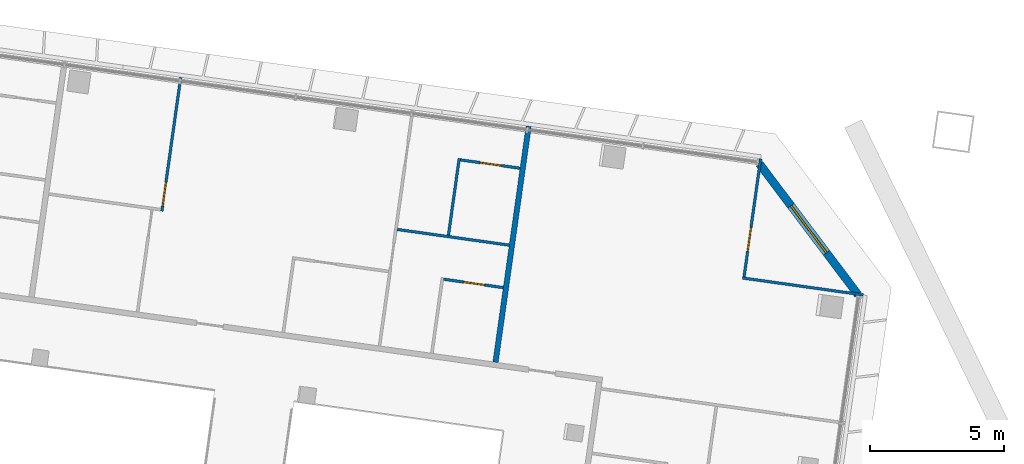
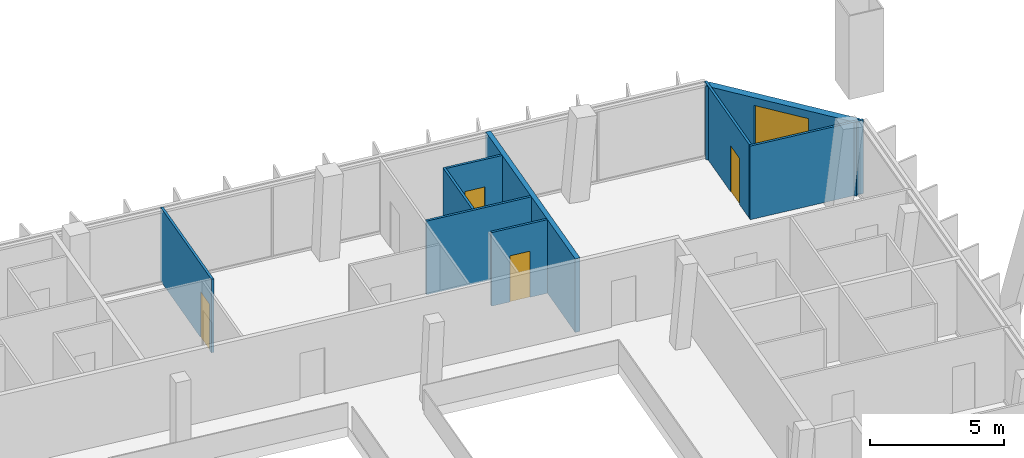
# One storey, part 19 of 26: 9 walls, 4 doors, 1 window, 5 openings.
"""IFC4 building model written with IfcOpenShell, lengths in metres."""

import ifcopenshell
import ifcopenshell.guid

model = None  # the IFC model being written
_history = None  # IfcOwnerHistory: only IFC2X3 demands one
_inside = {}  # id of a spatial element -> (the spatial element, [elements in it])
_under = {}  # id of a project, library or spatial element -> (it, [spatial elements below it])
_declared = {}  # id of a project -> (the project, [libraries it declares])
_typed = {}  # id of a type object -> (the type object, [elements of that type])
_made_of = {}  # id of a material, layer set ... -> (it, [elements and type objects made of it])


def new_model(schema):
    """Start an empty IFC model of exactly this schema.

    Asked for "IFC4X3", IfcOpenShell would pick the latest addendum, in which some entities
    have other attributes; the version numbers below select the first issue.
    IFC2X3 requires an IfcOwnerHistory on every rooted entity: one is made here for all.
    """
    global model, _history
    if schema == "IFC4X3":
        model = ifcopenshell.file(schema_version=(4, 3, 0, 0))
    else:
        model = ifcopenshell.file(schema=schema)
    _inside.clear()
    _under.clear()
    _declared.clear()
    _typed.clear()
    _made_of.clear()
    _history = None
    if model.schema == "IFC2X3":
        org = make("IfcOrganization", Name="unknown")
        user = make(
            "IfcPersonAndOrganization",
            ThePerson=make("IfcPerson", FamilyName="unknown"),
            TheOrganization=org,
        )
        app = make(
            "IfcApplication",
            ApplicationDeveloper=org,
            Version="unknown",
            ApplicationFullName="unknown",
            ApplicationIdentifier="unknown",
        )
        _history = make(
            "IfcOwnerHistory",
            OwningUser=user,
            OwningApplication=app,
            ChangeAction="ADDED",
            CreationDate=0,
        )
    return model


def make(cls, **values):
    """One entity of the class cls with the attributes given. An attribute that is None is left unset."""
    return model.create_entity(
        cls, **{name: value for name, value in values.items() if value is not None}
    )


def rooted(cls, **values):
    """An entity with a GlobalId (a new one), such as an element, a storey or a relation."""
    return make(cls, GlobalId=ifcopenshell.guid.new(), OwnerHistory=_history, **values)


def si_unit(unit_type, name, prefix=None):
    """IfcSIUnit, for example si_unit("LENGTHUNIT", "METRE", prefix="MILLI")."""
    return make("IfcSIUnit", UnitType=unit_type, Prefix=prefix, Name=name)


def assignment(units):
    """IfcUnitAssignment: the units of a project."""
    return None if units is None else make("IfcUnitAssignment", Units=units)


def point(xyz):
    """IfcCartesianPoint."""
    return None if xyz is None else make("IfcCartesianPoint", Coordinates=xyz)


def direction(xyz):
    """IfcDirection."""
    return None if xyz is None else make("IfcDirection", DirectionRatios=xyz)


def frame(location, z_axis=None, x_axis=None):
    """IfcAxis2Placement3D, a coordinate frame: its origin and axes. An axis left out is left unset."""
    return make(
        "IfcAxis2Placement3D",
        Location=point(location),
        Axis=direction(z_axis),
        RefDirection=direction(x_axis),
    )


def frame_2d(location, x_axis=None):
    """IfcAxis2Placement2D, a coordinate frame in the plane: its origin and x axis."""
    return make(
        "IfcAxis2Placement2D", Location=point(location), RefDirection=direction(x_axis)
    )


def origin():
    """The frame at (0, 0, 0) with its axes left unset."""
    return frame((0.0, 0.0, 0.0))


def place(relative_to, where):
    """IfcLocalPlacement: puts the frame where relative to a parent placement (None: the world)."""
    return make(
        "IfcLocalPlacement", PlacementRelTo=relative_to, RelativePlacement=where
    )


def context(
    kind, dimensions, precision=None, world=None, true_north=None, identifier=None
):
    """IfcGeometricRepresentationContext, for example the 3D "Model" context."""
    return make(
        "IfcGeometricRepresentationContext",
        ContextIdentifier=identifier,
        ContextType=kind,
        CoordinateSpaceDimension=dimensions,
        Precision=precision,
        WorldCoordinateSystem=world,
        TrueNorth=true_north,
    )


def subcontext(parent, identifier, kind, view, scale=None):
    """IfcGeometricRepresentationSubContext, for example "Body" below "Model"."""
    return make(
        "IfcGeometricRepresentationSubContext",
        ContextIdentifier=identifier,
        ContextType=kind,
        ParentContext=parent,
        TargetScale=scale,
        TargetView=view,
    )


def project(units=None, contexts=None):
    """IfcProject with its units and contexts."""
    return rooted(
        "IfcProject",
        Name="project",
        RepresentationContexts=contexts,
        UnitsInContext=assignment(units),
    )


def spatial(cls, under=None, at=None, **own):
    """A site, building, storey or space (cls), placed at a placement, below another one or the project."""
    s = rooted(cls, ObjectPlacement=at, **own)
    if under is not None:
        _under.setdefault(under.id(), (under, []))[1].append(s)
    return s


def profile(cls, at=None, kind="AREA", **sizes):
    """A parametric profile (cls). Its sizes go by their IFC names, for example OverallWidth=200.0."""
    return make(cls, ProfileType=kind, Position=at, **sizes)


def rectangle(**sizes):
    """IfcRectangleProfileDef."""
    return profile("IfcRectangleProfileDef", **sizes)


def extrude(swept, where, along, depth):
    """IfcExtrudedAreaSolid: the profile swept, set in the frame where, extruded along a direction by depth."""
    return make(
        "IfcExtrudedAreaSolid",
        SweptArea=swept,
        Position=where,
        ExtrudedDirection=direction(along),
        Depth=depth,
    )


def shape(context_of_items, identifier, shape_type, items):
    """IfcShapeRepresentation: the items that make up one representation, for example the "Body"."""
    return make(
        "IfcShapeRepresentation",
        ContextOfItems=context_of_items,
        RepresentationIdentifier=identifier,
        RepresentationType=shape_type,
        Items=items,
    )


def material(Name=None, Category=None):
    """IfcMaterial."""
    return make("IfcMaterial", Name=Name, Category=Category)


def layer(
    of_material, thickness, ventilated=None, Name=None, Category=None, Priority=None
):
    """IfcMaterialLayer: one layer of a wall or slab, of a material (None: an air gap)."""
    return make(
        "IfcMaterialLayer",
        Material=of_material,
        LayerThickness=thickness,
        IsVentilated=ventilated,
        Name=Name,
        Category=Category,
        Priority=Priority,
    )


def layer_set(layers, Name=None):
    """IfcMaterialLayerSet."""
    return make("IfcMaterialLayerSet", MaterialLayers=layers, LayerSetName=Name)


def made_of(thing, what):
    """Note that an element or type object is made of a material, layer set ...; save() writes the relation."""
    if what is not None:
        _made_of.setdefault(what.id(), (what, []))[1].append(thing)
    return thing


def type_object(cls, material=None, **own):
    """A type object (cls), such as IfcWallType, which elements share."""
    return made_of(rooted(cls, **own), material)


def element(
    cls,
    number,
    at=None,
    inside=None,
    cuts=None,
    type_object=None,
    material=None,
    context=None,
    identifier="Body",
    shape_type=None,
    held_by="IfcProductDefinitionShape",
    body=None,
    shapes=None,
    **own,
):
    """One element of the class cls, such as IfcWall. Its Tag is "e" and its number.

    at: its placement. inside: the storey or other place that contains it. cuts: it is an
    opening in that element (IfcRelVoidsElement). A single representation is given by context,
    identifier, shape_type and body (its items); several are given by shapes. held_by: the class
    of the entity that holds the representations. save() writes the other relations.
    """
    e = rooted(cls, Tag="e%d" % number, ObjectPlacement=at, **own)
    if body is not None:
        shapes = [shape(context, identifier, shape_type, body)]
    if shapes is not None:
        e.Representation = make(held_by, Representations=shapes)
    if inside is not None:
        _inside.setdefault(inside.id(), (inside, []))[1].append(e)
    if cuts is not None:
        rooted(
            "IfcRelVoidsElement", RelatingBuildingElement=cuts, RelatedOpeningElement=e
        )
    if type_object is not None:
        _typed.setdefault(type_object.id(), (type_object, []))[1].append(e)
    return made_of(e, material)


def fill(opening, filler):
    """IfcRelFillsElement: the door or window that sits in an opening."""
    return rooted(
        "IfcRelFillsElement",
        RelatingOpeningElement=opening,
        RelatedBuildingElement=filler,
    )


def aggregate(whole, parts):
    """IfcRelAggregates: a whole, such as a stair, and the parts it consists of."""
    return rooted("IfcRelAggregates", RelatingObject=whole, RelatedObjects=parts)


def save(model, path):
    """Write the relations noted so far, then the file.

    IfcRelAggregates (storeys below a building ...), IfcRelContainedInSpatialStructure (elements
    in a storey), IfcRelDefinesByType, IfcRelAssociatesMaterial and IfcRelDeclares: one each for
    every whole, place, type object, material and project.
    """
    for whole, parts in _under.values():
        aggregate(whole, parts)
    for where, things in _inside.values():
        rooted(
            "IfcRelContainedInSpatialStructure",
            RelatedElements=things,
            RelatingStructure=where,
        )
    for kind, things in _typed.values():
        rooted("IfcRelDefinesByType", RelatedObjects=things, RelatingType=kind)
    for what, things in _made_of.values():
        rooted("IfcRelAssociatesMaterial", RelatedObjects=things, RelatingMaterial=what)
    for by, libraries in _declared.values():
        rooted("IfcRelDeclares", RelatingContext=by, RelatedDefinitions=libraries)
    model.write(path)


model = new_model("IFC4")

# Units and contexts
model_context = context("Model", 3, precision=1e-05, world=origin(), true_north=direction((0.0, 1.0)))
body_context = subcontext(model_context, "Body", "Model", "MODEL_VIEW")
ifc_project = project(units=[si_unit("LENGTHUNIT", "METRE"), si_unit("AREAUNIT", "SQUARE_METRE"), si_unit("VOLUMEUNIT", "CUBIC_METRE"), si_unit("PLANEANGLEUNIT", "RADIAN"), si_unit("MASSUNIT", "GRAM", prefix="KILO")], contexts=[model_context])

# Site, building, storey
site_placement = place(None, origin())
site = spatial("IfcSite", under=ifc_project, at=site_placement, CompositionType="ELEMENT")
building_placement = place(site_placement, origin())
building = spatial("IfcBuilding", under=site, at=building_placement, Name="Mirante Cascada Hotel Towers", CompositionType="ELEMENT")
storey_placement = place(building_placement, frame((0.0, 0.0, 203.0)))
storey = spatial("IfcBuildingStorey", under=building, at=storey_placement, Name="L48", CompositionType="ELEMENT", Elevation=203.0)

# Wall
ifc_material_1 = material(Name="Fire-rated plasterboard on metal studs")
ifc_layer_1 = layer(ifc_material_1, 0.2)
ifc_layer_set_1 = layer_set([ifc_layer_1], Name="Compartment wall 200 EI 120")
wall_type_1 = type_object("IfcWallType", Name="Compartment wall 200 EI 120", PredefinedType="PARTITIONING", material=ifc_layer_set_1)
wall_1_placement = place(storey_placement, frame((-38.6376, 9.4132, 0.0), z_axis=(0.0, 0.0, 1.0), x_axis=(0.1391794, 0.9902672, 0.0)))
element("IfcWall", 1, at=wall_1_placement, inside=storey, type_object=wall_type_1, Name="Wall 1-L48-39", PredefinedType="PARTITIONING", context=body_context, shape_type="SweptSolid", body=[
    extrude(rectangle(XDim=8.9, YDim=0.2, at=frame_2d((4.45, 0.0))), origin(), (0.0, 0.0, 1.0), 3.35),
])

# Wall, opening, door
ifc_material_2 = material(Name="Plasterboard on metal studs")
ifc_layer_2 = layer(ifc_material_2, 0.1)
ifc_layer_set_2 = layer_set([ifc_layer_2], Name="Partition 100")
wall_type_2 = type_object("IfcWallType", Name="Partition 100", PredefinedType="PARTITIONING", material=ifc_layer_set_2)
wall_2_placement = place(storey_placement, frame((-38.3469, 12.1999, 0.0), z_axis=(0.0, 0.0, 1.0), x_axis=(-0.9902705, 0.1391561, 0.0)))
wall_2 = element("IfcWall", 2, at=wall_2_placement, inside=storey, type_object=wall_type_2, Name="Wall 1-L48-19", PredefinedType="PARTITIONING", context=body_context, shape_type="SweptSolid", body=[
    extrude(rectangle(XDim=2.25, YDim=0.1, at=frame_2d((1.125, 0.0))), origin(), (0.0, 0.0, 1.0), 3.35),
])
opening_1_placement = place(wall_2_placement, frame((0.7, 0.0, 0.0)))
opening_1 = element("IfcOpeningElement", 3, at=opening_1_placement, cuts=wall_2, Name="Opening D1-L48-09", PredefinedType="OPENING", context=body_context, shape_type="SweptSolid", body=[
    extrude(rectangle(XDim=0.8, YDim=2.1, at=frame_2d((0.4, 1.05))), frame((0.0, 0.05, 0.0), z_axis=(0.0, -1.0, 0.0), x_axis=(1.0, 0.0, 0.0)), (0.0, 0.0, 1.0), 0.1),
])
ifc_material_3 = material(Name="Timber door leaf", Category="wood")
door_type_1 = type_object("IfcDoorType", Name="Bathroom door DG4 800x2100", OperationType="SINGLE_SWING_LEFT", PredefinedType="DOOR", material=ifc_material_3)
door_1_placement = place(opening_1_placement, origin())
door_1 = element("IfcDoor", 4, at=door_1_placement, inside=storey, type_object=door_type_1, Name="Door D1-L48-09", OperationType="SINGLE_SWING_LEFT", OverallHeight=2.1, OverallWidth=0.8, PredefinedType="DOOR", context=body_context, shape_type="SweptSolid", body=[
    extrude(rectangle(XDim=0.8, YDim=2.1, at=frame_2d((0.4, 1.05))), frame((0.0, 0.025, 0.0), z_axis=(0.0, -1.0, 0.0), x_axis=(1.0, 0.0, 0.0)), (0.0, 0.0, 1.0), 0.05),
])
fill(opening_1, door_1)

# Walls
wall_3_placement = place(storey_placement, frame((-24.9079, 11.9269, 0.0), z_axis=(0.0, 0.0, 1.0), x_axis=(-0.9902691, 0.1391656, 0.0)))
element("IfcWall", 5, at=wall_3_placement, inside=storey, type_object=wall_type_2, Name="Wall 1-L48-25", PredefinedType="PARTITIONING", context=body_context, shape_type="SweptSolid", body=[
    extrude(rectangle(XDim=4.55, YDim=0.1, at=frame_2d((2.275, 0.0))), origin(), (0.0, 0.0, 1.0), 3.35),
])
wall_4_placement = place(storey_placement, frame((-42.3062, 14.372, 0.0), z_axis=(0.0, 0.0, 1.0), x_axis=(0.9902694, -0.1391634, 0.0)))
element("IfcWall", 6, at=wall_4_placement, inside=storey, type_object=wall_type_2, Name="Wall 1-L48-26", PredefinedType="PARTITIONING", context=body_context, shape_type="SweptSolid", body=[
    extrude(rectangle(XDim=4.2231, YDim=0.1, at=frame_2d((2.1115, 0.0))), origin(), (0.0, 0.0, 1.0), 3.35),
])

# Wall, opening, door
wall_5_placement = place(storey_placement, frame((-39.9487, 16.9692, 0.0), z_axis=(0.0, 0.0, 1.0), x_axis=(0.9902705, -0.1391561, 0.0)))
wall_5 = element("IfcWall", 7, at=wall_5_placement, inside=storey, type_object=wall_type_2, Name="Wall 1-L48-28", PredefinedType="PARTITIONING", context=body_context, shape_type="SweptSolid", body=[
    extrude(rectangle(XDim=2.25, YDim=0.1, at=frame_2d((1.125, 0.0))), origin(), (0.0, 0.0, 1.0), 3.35),
])
opening_2_placement = place(wall_5_placement, frame((0.75, 0.0, 0.0)))
opening_2 = element("IfcOpeningElement", 8, at=opening_2_placement, cuts=wall_5, Name="Opening D1-L48-14", PredefinedType="OPENING", context=body_context, shape_type="SweptSolid", body=[
    extrude(rectangle(XDim=0.8, YDim=2.1, at=frame_2d((0.4, 1.05))), frame((0.0, 0.05, 0.0), z_axis=(0.0, -1.0, 0.0), x_axis=(1.0, 0.0, 0.0)), (0.0, 0.0, 1.0), 0.1),
])
door_2_placement = place(opening_2_placement, frame((0.8, 0.0, 0.0), z_axis=(0.0, 0.0, 1.0), x_axis=(-1.0, 0.0, 0.0)))
door_2 = element("IfcDoor", 9, at=door_2_placement, inside=storey, type_object=door_type_1, Name="Door D1-L48-14", OperationType="SINGLE_SWING_RIGHT", OverallHeight=2.1, OverallWidth=0.8, PredefinedType="DOOR", context=body_context, shape_type="SweptSolid", body=[
    extrude(rectangle(XDim=0.8, YDim=2.1, at=frame_2d((0.4, 1.05))), frame((0.0, 0.025, 0.0), z_axis=(0.0, -1.0, 0.0), x_axis=(1.0, 0.0, 0.0)), (0.0, 0.0, 1.0), 0.05),
])
fill(opening_2, door_2)

wall_6_placement = place(storey_placement, frame((-28.7378, 17.0093, 0.0), z_axis=(0.0, 0.0, 1.0), x_axis=(-0.1391684, -0.9902687, 0.0)))
wall_6 = element("IfcWall", 10, at=wall_6_placement, inside=storey, type_object=wall_type_2, Name="Wall 1-L48-34", PredefinedType="PARTITIONING", context=body_context, shape_type="SweptSolid", body=[
    extrude(rectangle(XDim=4.45, YDim=0.1, at=frame_2d((2.225, 0.0))), origin(), (0.0, 0.0, 1.0), 3.35),
])
opening_3_placement = place(wall_6_placement, frame((2.5833, 0.0, 0.0)))
opening_3 = element("IfcOpeningElement", 11, at=opening_3_placement, cuts=wall_6, Name="Opening D1-L48-21", PredefinedType="OPENING", context=body_context, shape_type="SweptSolid", body=[
    extrude(rectangle(XDim=0.9, YDim=2.1, at=frame_2d((0.45, 1.05))), frame((0.0, 0.05, 0.0), z_axis=(0.0, -1.0, 0.0), x_axis=(1.0, 0.0, 0.0)), (0.0, 0.0, 1.0), 0.1),
])
ifc_material_4 = material(Name="Timber door leaf", Category="wood")
door_type_2 = type_object("IfcDoorType", Name="Room door DG3 900x2100", OperationType="SINGLE_SWING_LEFT", PredefinedType="DOOR", material=ifc_material_4)
door_3_placement = place(opening_3_placement, frame((0.9, 0.0, 0.0), z_axis=(0.0, 0.0, 1.0), x_axis=(-1.0, 0.0, 0.0)))
door_3 = element("IfcDoor", 12, at=door_3_placement, inside=storey, type_object=door_type_2, Name="Door D1-L48-21", OperationType="SINGLE_SWING_RIGHT", OverallHeight=2.1, OverallWidth=0.9, PredefinedType="DOOR", context=body_context, shape_type="SweptSolid", body=[
    extrude(rectangle(XDim=0.9, YDim=2.1, at=frame_2d((0.45, 1.05))), frame((0.0, 0.025, 0.0), z_axis=(0.0, -1.0, 0.0), x_axis=(1.0, 0.0, 0.0)), (0.0, 0.0, 1.0), 0.05),
])
fill(opening_3, door_3)

# Wall
wall_7_placement = place(storey_placement, frame((-40.3949, 14.1539, 0.0), z_axis=(0.0, 0.0, 1.0), x_axis=(0.1391714, 0.9902683, 0.0)))
element("IfcWall", 13, at=wall_7_placement, inside=storey, type_object=wall_type_2, Name="Wall 1-L48-41", PredefinedType="PARTITIONING", context=body_context, shape_type="SweptSolid", body=[
    extrude(rectangle(XDim=2.9, YDim=0.1, at=frame_2d((1.45, 0.0))), origin(), (0.0, 0.0, 1.0), 3.35),
])

# Wall, opening, door
wall_8_placement = place(storey_placement, frame((-50.3906, 20.0524, 0.0), z_axis=(0.0, 0.0, 1.0), x_axis=(-0.1391893, -0.9902658, 0.0)))
wall_8 = element("IfcWall", 14, at=wall_8_placement, inside=storey, type_object=wall_type_2, Name="Wall 1-L48-44", PredefinedType="PARTITIONING", context=body_context, shape_type="SweptSolid", body=[
    extrude(rectangle(XDim=5.05, YDim=0.1, at=frame_2d((2.525, 0.0))), origin(), (0.0, 0.0, 1.0), 3.35),
])
opening_4_placement = place(wall_8_placement, frame((3.95, 0.0, 0.0)))
opening_4 = element("IfcOpeningElement", 15, at=opening_4_placement, cuts=wall_8, Name="Opening D1-L48-27", PredefinedType="OPENING", context=body_context, shape_type="SweptSolid", body=[
    extrude(rectangle(XDim=0.9, YDim=2.1, at=frame_2d((0.45, 1.05))), frame((0.0, 0.05, 0.0), z_axis=(0.0, -1.0, 0.0), x_axis=(1.0, 0.0, 0.0)), (0.0, 0.0, 1.0), 0.1),
])
door_4_placement = place(opening_4_placement, origin())
door_4 = element("IfcDoor", 16, at=door_4_placement, inside=storey, type_object=door_type_2, Name="Door D1-L48-27", OperationType="SINGLE_SWING_LEFT", OverallHeight=2.1, OverallWidth=0.9, PredefinedType="DOOR", context=body_context, shape_type="SweptSolid", body=[
    extrude(rectangle(XDim=0.9, YDim=2.1, at=frame_2d((0.45, 1.05))), frame((0.0, 0.025, 0.0), z_axis=(0.0, -1.0, 0.0), x_axis=(1.0, 0.0, 0.0)), (0.0, 0.0, 1.0), 0.05),
])
fill(opening_4, door_4)

# Wall, opening, window
ifc_material_5 = material(Name="Precast concrete C40/50", Category="concrete")
ifc_layer_3 = layer(ifc_material_5, 0.3)
ifc_layer_set_3 = layer_set([ifc_layer_3], Name="Precast concrete C40/50 cladding wall 300")
wall_type_3 = type_object("IfcWallType", Name="Precast concrete C40/50 cladding wall 300", PredefinedType="STANDARD", material=ifc_layer_set_3)
wall_9_placement = place(storey_placement, frame((-28.7829, 16.8199, 0.0), z_axis=(0.0, 0.0, 1.0), x_axis=(0.6018141, -0.7986362, 0.0)))
wall_9 = element("IfcWall", 17, at=wall_9_placement, inside=storey, type_object=wall_type_3, Name="Corner cladding wall T1 L48 front inner", PredefinedType="STANDARD", context=body_context, shape_type="SweptSolid", body=[
    extrude(rectangle(XDim=6.1157, YDim=0.3, at=frame_2d((3.0578, 0.0))), origin(), (0.0, 0.0, 1.0), 3.35),
])
opening_5_placement = place(wall_9_placement, frame((1.9578, 0.0, 0.6)))
opening_5 = element("IfcOpeningElement", 18, at=opening_5_placement, cuts=wall_9, Name="Opening W1-48-03", PredefinedType="OPENING", context=body_context, shape_type="SweptSolid", body=[
    extrude(rectangle(XDim=2.2, YDim=2.4, at=frame_2d((1.1, 1.2))), frame((0.0, 0.15, 0.0), z_axis=(0.0, -1.0, 0.0), x_axis=(1.0, 0.0, 0.0)), (0.0, 0.0, 1.0), 0.3),
])
ifc_material_6 = material(Name="Aluminium frame with clear double glazing", Category="aluminium")
window_type = type_object("IfcWindowType", Name="Corner suite window 2200x2400", PartitioningType="DOUBLE_PANEL_VERTICAL", PredefinedType="WINDOW", material=ifc_material_6)
window_placement = place(opening_5_placement, origin())
window = element("IfcWindow", 19, at=window_placement, inside=storey, type_object=window_type, Name="Window W1-48-03", OverallHeight=2.4, OverallWidth=2.2, PartitioningType="SINGLE_PANEL", PredefinedType="WINDOW", context=body_context, shape_type="SweptSolid", body=[
    extrude(rectangle(XDim=2.2, YDim=2.4, at=frame_2d((1.1, 1.2))), frame((0.0, 0.03, 0.0), z_axis=(0.0, -1.0, 0.0), x_axis=(1.0, 0.0, 0.0)), (0.0, 0.0, 1.0), 0.06),
])
fill(opening_5, window)

save(model, "model.ifc")
